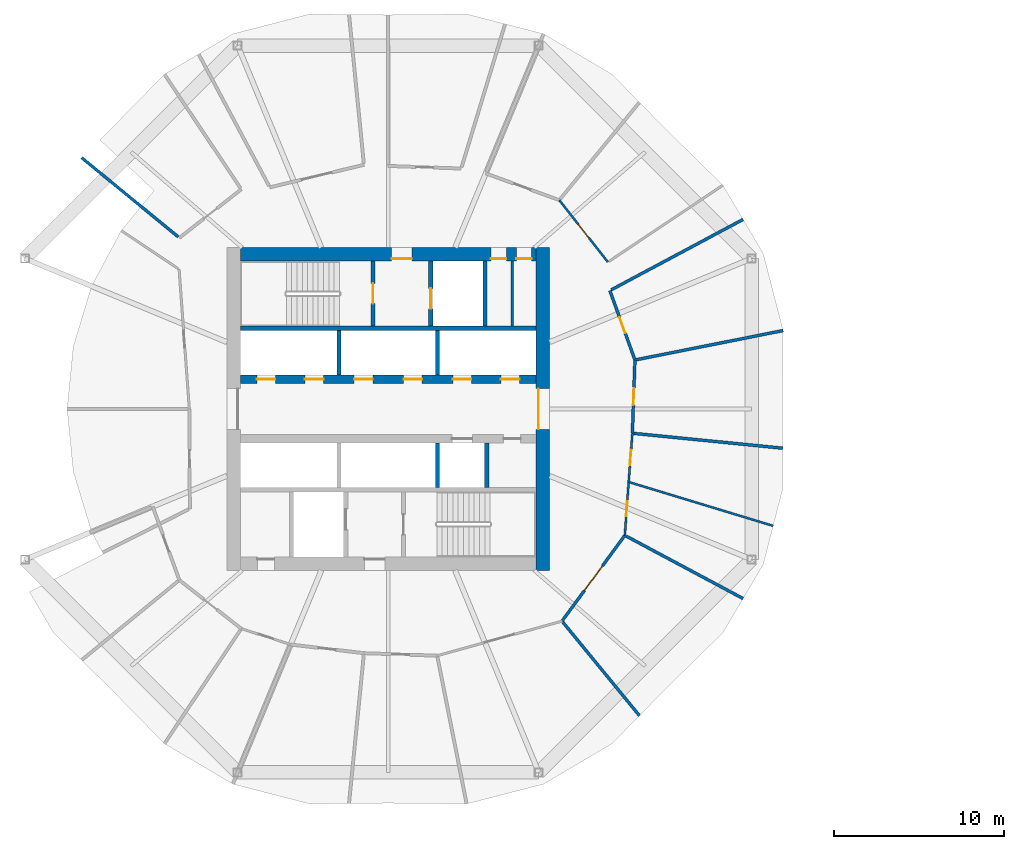
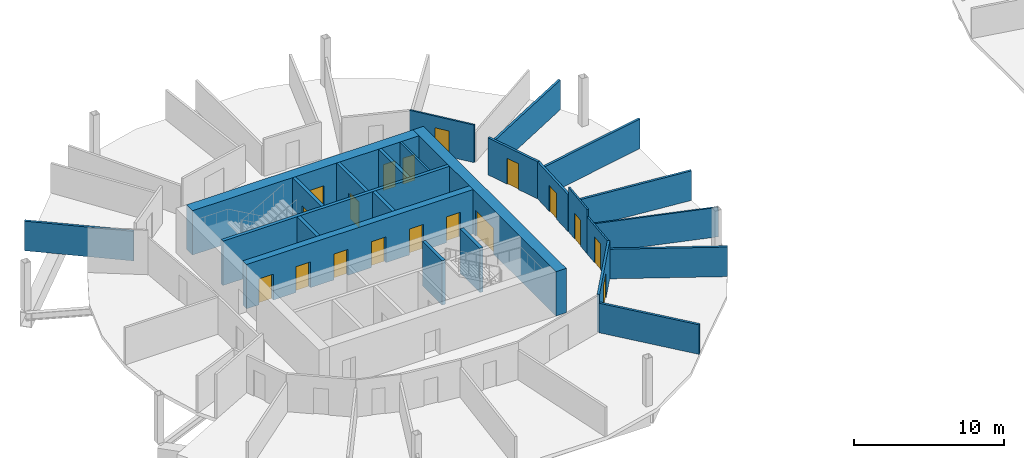
# One storey, part 5 of 10: 25 walls, 18 doors, 18 openings.
"""IFC4 building model written with IfcOpenShell, lengths in metres."""

import ifcopenshell
import ifcopenshell.guid

model = None  # the IFC model being written
_history = None  # IfcOwnerHistory: only IFC2X3 demands one
_inside = {}  # id of a spatial element -> (the spatial element, [elements in it])
_under = {}  # id of a project, library or spatial element -> (it, [spatial elements below it])
_declared = {}  # id of a project -> (the project, [libraries it declares])
_typed = {}  # id of a type object -> (the type object, [elements of that type])
_made_of = {}  # id of a material, layer set ... -> (it, [elements and type objects made of it])


def new_model(schema):
    """Start an empty IFC model of exactly this schema.

    Asked for "IFC4X3", IfcOpenShell would pick the latest addendum, in which some entities
    have other attributes; the version numbers below select the first issue.
    IFC2X3 requires an IfcOwnerHistory on every rooted entity: one is made here for all.
    """
    global model, _history
    if schema == "IFC4X3":
        model = ifcopenshell.file(schema_version=(4, 3, 0, 0))
    else:
        model = ifcopenshell.file(schema=schema)
    _inside.clear()
    _under.clear()
    _declared.clear()
    _typed.clear()
    _made_of.clear()
    _history = None
    if model.schema == "IFC2X3":
        org = make("IfcOrganization", Name="unknown")
        user = make(
            "IfcPersonAndOrganization",
            ThePerson=make("IfcPerson", FamilyName="unknown"),
            TheOrganization=org,
        )
        app = make(
            "IfcApplication",
            ApplicationDeveloper=org,
            Version="unknown",
            ApplicationFullName="unknown",
            ApplicationIdentifier="unknown",
        )
        _history = make(
            "IfcOwnerHistory",
            OwningUser=user,
            OwningApplication=app,
            ChangeAction="ADDED",
            CreationDate=0,
        )
    return model


def make(cls, **values):
    """One entity of the class cls with the attributes given. An attribute that is None is left unset."""
    return model.create_entity(
        cls, **{name: value for name, value in values.items() if value is not None}
    )


def rooted(cls, **values):
    """An entity with a GlobalId (a new one), such as an element, a storey or a relation."""
    return make(cls, GlobalId=ifcopenshell.guid.new(), OwnerHistory=_history, **values)


def si_unit(unit_type, name, prefix=None):
    """IfcSIUnit, for example si_unit("LENGTHUNIT", "METRE", prefix="MILLI")."""
    return make("IfcSIUnit", UnitType=unit_type, Prefix=prefix, Name=name)


def assignment(units):
    """IfcUnitAssignment: the units of a project."""
    return None if units is None else make("IfcUnitAssignment", Units=units)


def point(xyz):
    """IfcCartesianPoint."""
    return None if xyz is None else make("IfcCartesianPoint", Coordinates=xyz)


def direction(xyz):
    """IfcDirection."""
    return None if xyz is None else make("IfcDirection", DirectionRatios=xyz)


def frame(location, z_axis=None, x_axis=None):
    """IfcAxis2Placement3D, a coordinate frame: its origin and axes. An axis left out is left unset."""
    return make(
        "IfcAxis2Placement3D",
        Location=point(location),
        Axis=direction(z_axis),
        RefDirection=direction(x_axis),
    )


def frame_2d(location, x_axis=None):
    """IfcAxis2Placement2D, a coordinate frame in the plane: its origin and x axis."""
    return make(
        "IfcAxis2Placement2D", Location=point(location), RefDirection=direction(x_axis)
    )


def origin():
    """The frame at (0, 0, 0) with its axes left unset."""
    return frame((0.0, 0.0, 0.0))


def place(relative_to, where):
    """IfcLocalPlacement: puts the frame where relative to a parent placement (None: the world)."""
    return make(
        "IfcLocalPlacement", PlacementRelTo=relative_to, RelativePlacement=where
    )


def context(
    kind, dimensions, precision=None, world=None, true_north=None, identifier=None
):
    """IfcGeometricRepresentationContext, for example the 3D "Model" context."""
    return make(
        "IfcGeometricRepresentationContext",
        ContextIdentifier=identifier,
        ContextType=kind,
        CoordinateSpaceDimension=dimensions,
        Precision=precision,
        WorldCoordinateSystem=world,
        TrueNorth=true_north,
    )


def subcontext(parent, identifier, kind, view, scale=None):
    """IfcGeometricRepresentationSubContext, for example "Body" below "Model"."""
    return make(
        "IfcGeometricRepresentationSubContext",
        ContextIdentifier=identifier,
        ContextType=kind,
        ParentContext=parent,
        TargetScale=scale,
        TargetView=view,
    )


def project(units=None, contexts=None):
    """IfcProject with its units and contexts."""
    return rooted(
        "IfcProject",
        Name="project",
        RepresentationContexts=contexts,
        UnitsInContext=assignment(units),
    )


def spatial(cls, under=None, at=None, **own):
    """A site, building, storey or space (cls), placed at a placement, below another one or the project."""
    s = rooted(cls, ObjectPlacement=at, **own)
    if under is not None:
        _under.setdefault(under.id(), (under, []))[1].append(s)
    return s


def profile(cls, at=None, kind="AREA", **sizes):
    """A parametric profile (cls). Its sizes go by their IFC names, for example OverallWidth=200.0."""
    return make(cls, ProfileType=kind, Position=at, **sizes)


def rectangle(**sizes):
    """IfcRectangleProfileDef."""
    return profile("IfcRectangleProfileDef", **sizes)


def extrude(swept, where, along, depth):
    """IfcExtrudedAreaSolid: the profile swept, set in the frame where, extruded along a direction by depth."""
    return make(
        "IfcExtrudedAreaSolid",
        SweptArea=swept,
        Position=where,
        ExtrudedDirection=direction(along),
        Depth=depth,
    )


def shape(context_of_items, identifier, shape_type, items):
    """IfcShapeRepresentation: the items that make up one representation, for example the "Body"."""
    return make(
        "IfcShapeRepresentation",
        ContextOfItems=context_of_items,
        RepresentationIdentifier=identifier,
        RepresentationType=shape_type,
        Items=items,
    )


def material(Name=None, Category=None):
    """IfcMaterial."""
    return make("IfcMaterial", Name=Name, Category=Category)


def layer(
    of_material, thickness, ventilated=None, Name=None, Category=None, Priority=None
):
    """IfcMaterialLayer: one layer of a wall or slab, of a material (None: an air gap)."""
    return make(
        "IfcMaterialLayer",
        Material=of_material,
        LayerThickness=thickness,
        IsVentilated=ventilated,
        Name=Name,
        Category=Category,
        Priority=Priority,
    )


def layer_set(layers, Name=None):
    """IfcMaterialLayerSet."""
    return make("IfcMaterialLayerSet", MaterialLayers=layers, LayerSetName=Name)


def made_of(thing, what):
    """Note that an element or type object is made of a material, layer set ...; save() writes the relation."""
    if what is not None:
        _made_of.setdefault(what.id(), (what, []))[1].append(thing)
    return thing


def type_object(cls, material=None, **own):
    """A type object (cls), such as IfcWallType, which elements share."""
    return made_of(rooted(cls, **own), material)


def element(
    cls,
    number,
    at=None,
    inside=None,
    cuts=None,
    type_object=None,
    material=None,
    context=None,
    identifier="Body",
    shape_type=None,
    held_by="IfcProductDefinitionShape",
    body=None,
    shapes=None,
    **own,
):
    """One element of the class cls, such as IfcWall. Its Tag is "e" and its number.

    at: its placement. inside: the storey or other place that contains it. cuts: it is an
    opening in that element (IfcRelVoidsElement). A single representation is given by context,
    identifier, shape_type and body (its items); several are given by shapes. held_by: the class
    of the entity that holds the representations. save() writes the other relations.
    """
    e = rooted(cls, Tag="e%d" % number, ObjectPlacement=at, **own)
    if body is not None:
        shapes = [shape(context, identifier, shape_type, body)]
    if shapes is not None:
        e.Representation = make(held_by, Representations=shapes)
    if inside is not None:
        _inside.setdefault(inside.id(), (inside, []))[1].append(e)
    if cuts is not None:
        rooted(
            "IfcRelVoidsElement", RelatingBuildingElement=cuts, RelatedOpeningElement=e
        )
    if type_object is not None:
        _typed.setdefault(type_object.id(), (type_object, []))[1].append(e)
    return made_of(e, material)


def fill(opening, filler):
    """IfcRelFillsElement: the door or window that sits in an opening."""
    return rooted(
        "IfcRelFillsElement",
        RelatingOpeningElement=opening,
        RelatedBuildingElement=filler,
    )


def aggregate(whole, parts):
    """IfcRelAggregates: a whole, such as a stair, and the parts it consists of."""
    return rooted("IfcRelAggregates", RelatingObject=whole, RelatedObjects=parts)


def save(model, path):
    """Write the relations noted so far, then the file.

    IfcRelAggregates (storeys below a building ...), IfcRelContainedInSpatialStructure (elements
    in a storey), IfcRelDefinesByType, IfcRelAssociatesMaterial and IfcRelDeclares: one each for
    every whole, place, type object, material and project.
    """
    for whole, parts in _under.values():
        aggregate(whole, parts)
    for where, things in _inside.values():
        rooted(
            "IfcRelContainedInSpatialStructure",
            RelatedElements=things,
            RelatingStructure=where,
        )
    for kind, things in _typed.values():
        rooted("IfcRelDefinesByType", RelatedObjects=things, RelatingType=kind)
    for what, things in _made_of.values():
        rooted("IfcRelAssociatesMaterial", RelatedObjects=things, RelatingMaterial=what)
    for by, libraries in _declared.values():
        rooted("IfcRelDeclares", RelatingContext=by, RelatedDefinitions=libraries)
    model.write(path)


model = new_model("IFC4")

# Units and contexts
model_context = context("Model", 3, precision=1e-05, world=origin(), true_north=direction((0.0, 1.0)))
body_context = subcontext(model_context, "Body", "Model", "MODEL_VIEW")
ifc_project = project(units=[si_unit("LENGTHUNIT", "METRE"), si_unit("AREAUNIT", "SQUARE_METRE"), si_unit("VOLUMEUNIT", "CUBIC_METRE"), si_unit("PLANEANGLEUNIT", "RADIAN"), si_unit("MASSUNIT", "GRAM", prefix="KILO")], contexts=[model_context])

# Site, building, storey
site_placement = place(None, origin())
site = spatial("IfcSite", under=ifc_project, at=site_placement, CompositionType="ELEMENT")
building_placement = place(site_placement, origin())
building = spatial("IfcBuilding", under=site, at=building_placement, Name="Ogive Gate Towers", CompositionType="ELEMENT")
storey_placement = place(building_placement, frame((0.0, 0.0, 103.5)))
storey = spatial("IfcBuildingStorey", under=building, at=storey_placement, Name="L24", CompositionType="ELEMENT", Elevation=103.5)

# Walls
ifc_material_1 = material(Name="Gypsum board acoustic partition")
ifc_layer_1 = layer(ifc_material_1, 0.175048828125)
ifc_layer_set_1 = layer_set([ifc_layer_1], Name="Acoustic partition 175")
wall_type_1 = type_object("IfcWallType", Name="Acoustic partition 175", PredefinedType="PARTITIONING", material=ifc_layer_set_1)
wall_1_placement = place(storey_placement, frame((-12.74462890625, 4.6181640625, 0.0), z_axis=(0.0, 0.0, 1.0), x_axis=(-0.980846189341, -0.194783861895, 0.0)))
element("IfcWall", 1, at=wall_1_placement, inside=storey, type_object=wall_type_1, Name="Partition T1-L24-001", PredefinedType="PARTITIONING", context=body_context, shape_type="SweptSolid", body=[
    extrude(rectangle(XDim=8.811279296875, YDim=0.175048828125, at=frame_2d((4.40576171875, 0.0))), origin(), (0.0, 0.0, 1.0), 2.39990234375),
])
wall_2_placement = place(storey_placement, frame((-15.1005859375, 11.1640625, 0.0), z_axis=(0.0, 0.0, 1.0), x_axis=(-0.882049803771, -0.471156177576, 0.0)))
element("IfcWall", 2, at=wall_2_placement, inside=storey, type_object=wall_type_1, Name="Partition T1-L24-002", PredefinedType="PARTITIONING", context=body_context, shape_type="SweptSolid", body=[
    extrude(rectangle(XDim=8.8115234375, YDim=0.175048828125, at=frame_2d((4.40576171875, 0.0))), origin(), (0.0, 0.0, 1.0), 2.39990234375),
])
wall_3_placement = place(storey_placement, frame((-54.055419921875, 14.79931640625, 0.0), z_axis=(0.0, 0.0, 1.0), x_axis=(0.773401433888, -0.633916573422, 0.0)))
element("IfcWall", 3, at=wall_3_placement, inside=storey, type_object=wall_type_1, Name="Partition T1-L24-011", PredefinedType="PARTITIONING", context=body_context, shape_type="SweptSolid", body=[
    extrude(rectangle(XDim=7.36181640625, YDim=0.175048828125, at=frame_2d((3.680908203125, 0.0))), origin(), (0.0, 0.0, 1.0), 2.39990234375),
])
wall_4_placement = place(storey_placement, frame((-21.205322265625, -18.06005859375, 0.0), z_axis=(0.0, 0.0, 1.0), x_axis=(-0.633691954899, 0.773585487388, 0.0)))
element("IfcWall", 4, at=wall_4_placement, inside=storey, type_object=wall_type_1, Name="Partition T1-L24-021", PredefinedType="PARTITIONING", context=body_context, shape_type="SweptSolid", body=[
    extrude(rectangle(XDim=7.111572265625, YDim=0.175048828125, at=frame_2d((3.5556640625, 0.0))), origin(), (0.0, 0.0, 1.0), 2.39990234375),
])
wall_5_placement = place(storey_placement, frame((-15.1005859375, -11.1640625, 0.0), z_axis=(0.0, 0.0, 1.0), x_axis=(-0.882037828895, 0.471178595012, 0.0)))
element("IfcWall", 5, at=wall_5_placement, inside=storey, type_object=wall_type_1, Name="Partition T1-L24-022", PredefinedType="PARTITIONING", context=body_context, shape_type="SweptSolid", body=[
    extrude(rectangle(XDim=7.8115234375, YDim=0.175048828125, at=frame_2d((3.90576171875, 0.0))), origin(), (0.0, 0.0, 1.0), 2.39990234375),
])
wall_6_placement = place(storey_placement, frame((-12.768310546875, -2.308837890625, 0.0), z_axis=(0.0, 0.0, 1.0), x_axis=(-0.995098722397, 0.098886463601, 0.0)))
element("IfcWall", 6, at=wall_6_placement, inside=storey, type_object=wall_type_1, Name="Partition T1-L24-024", PredefinedType="PARTITIONING", context=body_context, shape_type="SweptSolid", body=[
    extrude(rectangle(XDim=8.8115234375, YDim=0.175048828125, at=frame_2d((4.40576171875, 0.0))), origin(), (0.0, 0.0, 1.0), 2.39990234375),
])

# Wall, opening, door
wall_7_placement = place(storey_placement, frame((-22.949951171875, 6.97119140625, 0.0), z_axis=(0.0, 0.0, 1.0), x_axis=(0.339879175727, -0.940469109491, 0.0)))
wall_7 = element("IfcWall", 7, at=wall_7_placement, inside=storey, type_object=wall_type_1, Name="Partition T1-L24-027", PredefinedType="PARTITIONING", context=body_context, shape_type="SweptSolid", body=[
    extrude(rectangle(XDim=4.34521484375, YDim=0.175048828125, at=frame_2d((2.172607421875, 0.0))), origin(), (0.0, 0.0, 1.0), 3.010009765625),
])
opening_1_placement = place(wall_7_placement, frame((1.673095703125, 0.0, 0.0)))
opening_1 = element("IfcOpeningElement", 8, at=opening_1_placement, cuts=wall_7, Name="Opening T1-L24-D03", PredefinedType="OPENING", context=body_context, shape_type="SweptSolid", body=[
    extrude(rectangle(XDim=1.0, YDim=2.10009765625, at=frame_2d((0.5, 1.050048828125))), frame((0.0, 0.09765625, 0.0), z_axis=(0.0, -1.0, 0.0), x_axis=(1.0, 0.0, 0.0)), (0.0, 0.0, 1.0), 0.195068359375),
])
ifc_material_2 = material(Name="Timber door", Category="wood")
door_type_1 = type_object("IfcDoorType", Name="Door 1000", OperationType="NOTDEFINED", PredefinedType="DOOR", material=ifc_material_2)
door_1_placement = place(opening_1_placement, origin())
door_1 = element("IfcDoor", 9, at=door_1_placement, inside=storey, type_object=door_type_1, Name="Door T1-L24-D03", OperationType="SINGLE_SWING_LEFT", OverallHeight=2.10009765625, OverallWidth=1.0, PredefinedType="DOOR", context=body_context, shape_type="SweptSolid", body=[
    extrude(rectangle(XDim=1.0, YDim=2.10009765625, at=frame_2d((0.5, 1.050048828125))), frame((0.0, 0.02490234375, 0.0), z_axis=(0.0, -1.0, 0.0), x_axis=(1.0, 0.0, 0.0)), (0.0, 0.0, 1.0), 0.050048828125),
])
fill(opening_1, door_1)

wall_8_placement = place(storey_placement, frame((-21.47314453125, 2.884765625, 0.0), z_axis=(0.0, 0.0, 1.0), x_axis=(-0.034844121558, -0.999392759226, 0.0)))
wall_8 = element("IfcWall", 10, at=wall_8_placement, inside=storey, type_object=wall_type_1, Name="Partition T1-L24-028", PredefinedType="PARTITIONING", context=body_context, shape_type="SweptSolid", body=[
    extrude(rectangle(XDim=4.316162109375, YDim=0.175048828125, at=frame_2d((2.158203125, 0.0))), origin(), (0.0, 0.0, 1.0), 3.0),
])
opening_2_placement = place(wall_8_placement, frame((1.657958984375, 0.0, 0.0)))
opening_2 = element("IfcOpeningElement", 11, at=opening_2_placement, cuts=wall_8, Name="Opening T1-L24-D04", PredefinedType="OPENING", context=body_context, shape_type="SweptSolid", body=[
    extrude(rectangle(XDim=1.0, YDim=2.10009765625, at=frame_2d((0.5, 1.050048828125))), frame((0.0, 0.09765625, 0.0), z_axis=(0.0, -1.0, 0.0), x_axis=(1.0, 0.0, 0.0)), (0.0, 0.0, 1.0), 0.195068359375),
])
door_2_placement = place(opening_2_placement, origin())
door_2 = element("IfcDoor", 12, at=door_2_placement, inside=storey, type_object=door_type_1, Name="Door T1-L24-D04", OperationType="SINGLE_SWING_LEFT", OverallHeight=2.10009765625, OverallWidth=1.0, PredefinedType="DOOR", context=body_context, shape_type="SweptSolid", body=[
    extrude(rectangle(XDim=1.0, YDim=2.10009765625, at=frame_2d((0.5, 1.050048828125))), frame((0.0, 0.02490234375, 0.0), z_axis=(0.0, -1.0, 0.0), x_axis=(1.0, 0.0, 0.0)), (0.0, 0.0, 1.0), 0.050048828125),
])
fill(opening_2, door_2)

wall_9_placement = place(storey_placement, frame((-22.06787109375, -7.4423828125, 0.0), z_axis=(0.0, 0.0, 1.0), x_axis=(-0.591069382542, -0.806620719435, 0.0)))
wall_9 = element("IfcWall", 13, at=wall_9_placement, inside=storey, type_object=wall_type_1, Name="Partition T1-L24-031", PredefinedType="PARTITIONING", context=body_context, shape_type="SweptSolid", body=[
    extrude(rectangle(XDim=6.259033203125, YDim=0.175048828125, at=frame_2d((3.12939453125, 0.0))), origin(), (0.0, 0.0, 1.0), 3.050048828125),
])
opening_3_placement = place(wall_9_placement, frame((2.22998046875, 0.0, 0.0)))
opening_3 = element("IfcOpeningElement", 14, at=opening_3_placement, cuts=wall_9, Name="Opening T1-L24-D07", PredefinedType="OPENING", context=body_context, shape_type="SweptSolid", body=[
    extrude(rectangle(XDim=1.800048828125, YDim=2.10009765625, at=frame_2d((0.89990234375, 1.050048828125))), frame((0.0, 0.09765625, 0.0), z_axis=(0.0, -1.0, 0.0), x_axis=(1.0, 0.0, 0.0)), (0.0, 0.0, 1.0), 0.195068359375),
])
door_type_2 = type_object("IfcDoorType", Name="Door pair 1800", OperationType="NOTDEFINED", PredefinedType="DOOR", material=ifc_material_2)
door_3_placement = place(opening_3_placement, origin())
door_3 = element("IfcDoor", 15, at=door_3_placement, inside=storey, type_object=door_type_2, Name="Door T1-L24-D07", OperationType="DOUBLE_DOOR_DOUBLE_SWING", OverallHeight=2.10009765625, OverallWidth=1.800048828125, PredefinedType="DOOR", context=body_context, shape_type="SweptSolid", body=[
    extrude(rectangle(XDim=1.800048828125, YDim=2.10009765625, at=frame_2d((0.89990234375, 1.050048828125))), frame((0.0, 0.02490234375, 0.0), z_axis=(0.0, -1.0, 0.0), x_axis=(1.0, 0.0, 0.0)), (0.0, 0.0, 1.0), 0.050048828125),
])
fill(opening_3, door_3)

# Wall, openings, doors
ifc_material_3 = material(Name="Concrete C60/75", Category="concrete")
ifc_layer_2 = layer(ifc_material_3, 0.800048828125)
ifc_layer_set_2 = layer_set([ifc_layer_2], Name="Core wall 800 mm")
wall_type_2 = type_object("IfcWallType", Name="Core wall 800 mm", PredefinedType="SHEAR", material=ifc_layer_set_2)
wall_10_placement = place(storey_placement, frame((-44.699951171875, 9.10009765625, 0.0), z_axis=(0.0, 0.0, 1.0), x_axis=(1.0, 0.0, 0.0)))
wall_10 = element("IfcWall", 16, at=wall_10_placement, inside=storey, type_object=wall_type_2, Name="T1 L24 Core wall 800 mm", PredefinedType="SHEAR", context=body_context, shape_type="SweptSolid", body=[
    extrude(rectangle(XDim=17.39990234375, YDim=0.800048828125, at=frame_2d((8.699951171875, 0.0))), origin(), (0.0, 0.0, 1.0), 3.60009765625),
])
opening_4_placement = place(wall_10_placement, frame((8.89990234375, 0.0, 0.0)))
opening_4 = element("IfcOpeningElement", 17, at=opening_4_placement, cuts=wall_10, Name="Opening KD-T1-L24-15", PredefinedType="OPENING", context=body_context, shape_type="SweptSolid", body=[
    extrude(rectangle(XDim=1.199951171875, YDim=2.10009765625, at=frame_2d((0.60009765625, 1.050048828125))), frame((0.0, 0.41015625, 0.0), z_axis=(0.0, -1.0, 0.0), x_axis=(1.0, 0.0, 0.0)), (0.0, 0.0, 1.0), 0.820068359375),
])
opening_5_placement = place(wall_10_placement, frame((14.75, 0.0, 0.0)))
opening_5 = element("IfcOpeningElement", 18, at=opening_5_placement, cuts=wall_10, Name="Opening KD-T1-L24-17", PredefinedType="OPENING", context=body_context, shape_type="SweptSolid", body=[
    extrude(rectangle(XDim=0.89990234375, YDim=2.10009765625, at=frame_2d((0.449951171875, 1.050048828125))), frame((0.0, 0.41015625, 0.0), z_axis=(0.0, -1.0, 0.0), x_axis=(1.0, 0.0, 0.0)), (0.0, 0.0, 1.0), 0.820068359375),
])
opening_6_placement = place(wall_10_placement, frame((16.25, 0.0, 0.0)))
opening_6 = element("IfcOpeningElement", 19, at=opening_6_placement, cuts=wall_10, Name="Opening KD-T1-L24-18", PredefinedType="OPENING", context=body_context, shape_type="SweptSolid", body=[
    extrude(rectangle(XDim=0.89990234375, YDim=2.10009765625, at=frame_2d((0.449951171875, 1.050048828125))), frame((0.0, 0.41015625, 0.0), z_axis=(0.0, -1.0, 0.0), x_axis=(1.0, 0.0, 0.0)), (0.0, 0.0, 1.0), 0.820068359375),
])
door_type_3 = type_object("IfcDoorType", Name="Core WC door 900 x 2100", OperationType="NOTDEFINED", PredefinedType="DOOR", material=ifc_material_2)
door_4_placement = place(opening_5_placement, origin())
door_4 = element("IfcDoor", 20, at=door_4_placement, inside=storey, type_object=door_type_3, Name="T1 L24 Core door", OperationType="SINGLE_SWING_RIGHT", OverallHeight=2.10009765625, OverallWidth=0.89990234375, PredefinedType="DOOR", context=body_context, shape_type="SweptSolid", body=[
    extrude(rectangle(XDim=0.89990234375, YDim=2.10009765625, at=frame_2d((0.449951171875, 1.050048828125))), frame((0.0, -0.22509765625, 0.0), z_axis=(0.0, -1.0, 0.0), x_axis=(1.0, 0.0, 0.0)), (0.0, 0.0, 1.0), 0.050048828125),
])
fill(opening_5, door_4)
door_5_placement = place(opening_6_placement, origin())
door_5 = element("IfcDoor", 21, at=door_5_placement, inside=storey, type_object=door_type_3, Name="T1 L24 Core door", OperationType="SINGLE_SWING_LEFT", OverallHeight=2.10009765625, OverallWidth=0.89990234375, PredefinedType="DOOR", context=body_context, shape_type="SweptSolid", body=[
    extrude(rectangle(XDim=0.89990234375, YDim=2.10009765625, at=frame_2d((0.449951171875, 1.050048828125))), frame((0.0, -0.22509765625, 0.0), z_axis=(0.0, -1.0, 0.0), x_axis=(1.0, 0.0, 0.0)), (0.0, 0.0, 1.0), 0.050048828125),
])
fill(opening_6, door_5)
ifc_material_4 = material(Name="Steel fire door", Category="steel")
door_type_4 = type_object("IfcDoorType", Name="Core door FD60S 1200 x 2100", OperationType="NOTDEFINED", PredefinedType="DOOR", material=ifc_material_4)
door_6_placement = place(opening_4_placement, origin())
door_6 = element("IfcDoor", 22, at=door_6_placement, inside=storey, type_object=door_type_4, Name="T1 L24 Fire-fighting lobby door", OperationType="SINGLE_SWING_RIGHT", OverallHeight=2.10009765625, OverallWidth=1.199951171875, PredefinedType="DOOR", context=body_context, shape_type="SweptSolid", body=[
    extrude(rectangle(XDim=1.199951171875, YDim=2.10009765625, at=frame_2d((0.60009765625, 1.050048828125))), frame((0.0, -0.22509765625, 0.0), z_axis=(0.0, -1.0, 0.0), x_axis=(1.0, 0.0, 0.0)), (0.0, 0.0, 1.0), 0.050048828125),
])
fill(opening_4, door_6)

# Wall, opening, door
wall_11_placement = place(storey_placement, frame((-26.89990234375, -9.5, 0.0), z_axis=(0.0, 0.0, 1.0), x_axis=(0.0, 1.0, 0.0)))
wall_11 = element("IfcWall", 23, at=wall_11_placement, inside=storey, type_object=wall_type_2, Name="T1 L24 Core wall 800 mm", PredefinedType="SHEAR", context=body_context, shape_type="SweptSolid", body=[
    extrude(rectangle(XDim=19.0, YDim=0.800048828125, at=frame_2d((9.5, 0.0))), origin(), (0.0, 0.0, 1.0), 3.60009765625),
])
opening_7_placement = place(wall_11_placement, frame((8.300048828125, 0.0, 0.0)))
opening_7 = element("IfcOpeningElement", 24, at=opening_7_placement, cuts=wall_11, Name="Opening KD-T1-L24-02", PredefinedType="OPENING", context=body_context, shape_type="SweptSolid", body=[
    extrude(rectangle(XDim=2.39990234375, YDim=2.10009765625, at=frame_2d((1.199951171875, 1.050048828125))), frame((0.0, 0.41015625, 0.0), z_axis=(0.0, -1.0, 0.0), x_axis=(1.0, 0.0, 0.0)), (0.0, 0.0, 1.0), 0.820068359375),
])
door_type_5 = type_object("IfcDoorType", Name="Core double door FD60S 2400 x 2100", OperationType="DOUBLE_DOOR_SINGLE_SWING", PredefinedType="DOOR", material=ifc_material_4)
door_7_placement = place(opening_7_placement, origin())
door_7 = element("IfcDoor", 25, at=door_7_placement, inside=storey, type_object=door_type_5, Name="T1 L24 Core door double", OperationType="DOUBLE_DOOR_SINGLE_SWING", OverallHeight=2.10009765625, OverallWidth=2.39990234375, PredefinedType="DOOR", context=body_context, shape_type="SweptSolid", body=[
    extrude(rectangle(XDim=2.39990234375, YDim=2.10009765625, at=frame_2d((1.199951171875, 1.050048828125))), frame((0.0, 0.27490234375, 0.0), z_axis=(0.0, -1.0, 0.0), x_axis=(1.0, 0.0, 0.0)), (0.0, 0.0, 1.0), 0.050048828125),
])
fill(opening_7, door_7)

# Wall
ifc_material_5 = material(Name="Gypsum board partition")
ifc_layer_3 = layer(ifc_material_5, 0.125)
ifc_layer_set_3 = layer_set([ifc_layer_3], Name="Partition 125")
wall_type_3 = type_object("IfcWallType", Name="Partition 125", PredefinedType="PARTITIONING", material=ifc_layer_set_3)
wall_12_placement = place(storey_placement, frame((-13.32763671875, -6.8837890625, 0.0), z_axis=(0.0, 0.0, 1.0), x_axis=(-0.956872074034, 0.290509610743, 0.0)))
element("IfcWall", 26, at=wall_12_placement, inside=storey, type_object=wall_type_3, Name="Partition T1-L24-023", PredefinedType="PARTITIONING", context=body_context, shape_type="SweptSolid", body=[
    extrude(rectangle(XDim=8.836669921875, YDim=0.125, at=frame_2d((4.41845703125, 0.0))), origin(), (0.0, 0.0, 1.0), 2.39990234375),
])

# Wall, opening, door
wall_13_placement = place(storey_placement, frame((-25.92578125, 12.297607421875, 0.0), z_axis=(0.0, 0.0, 1.0), x_axis=(0.61708176189, -0.786899039994, 0.0)))
wall_13 = element("IfcWall", 27, at=wall_13_placement, inside=storey, type_object=wall_type_3, Name="Partition T1-L24-026", PredefinedType="PARTITIONING", context=body_context, shape_type="SweptSolid", body=[
    extrude(rectangle(XDim=4.636474609375, YDim=0.125, at=frame_2d((2.318359375, 0.0))), origin(), (0.0, 0.0, 1.0), 3.050048828125),
])
opening_8_placement = place(wall_13_placement, frame((1.818115234375, 0.0, 0.0)))
opening_8 = element("IfcOpeningElement", 28, at=opening_8_placement, cuts=wall_13, Name="Opening T1-L24-D02", PredefinedType="OPENING", context=body_context, shape_type="SweptSolid", body=[
    extrude(rectangle(XDim=1.0, YDim=2.10009765625, at=frame_2d((0.5, 1.050048828125))), frame((0.0, 0.072509765625, 0.0), z_axis=(0.0, -1.0, 0.0), x_axis=(1.0, 0.0, 0.0)), (0.0, 0.0, 1.0), 0.14501953125),
])
door_8_placement = place(opening_8_placement, origin())
door_8 = element("IfcDoor", 29, at=door_8_placement, inside=storey, type_object=door_type_1, Name="Door T1-L24-D02", OperationType="SINGLE_SWING_LEFT", OverallHeight=2.10009765625, OverallWidth=1.0, PredefinedType="DOOR", context=body_context, shape_type="SweptSolid", body=[
    extrude(rectangle(XDim=1.0, YDim=2.10009765625, at=frame_2d((0.5, 1.050048828125))), frame((0.0, 0.02490234375, 0.0), z_axis=(0.0, -1.0, 0.0), x_axis=(1.0, 0.0, 0.0)), (0.0, 0.0, 1.0), 0.050048828125),
])
fill(opening_8, door_8)

wall_14_placement = place(storey_placement, frame((-21.62353515625, -1.4287109375, 0.0), z_axis=(0.0, 0.0, 1.0), x_axis=(-0.07626186434, -0.997087823638, 0.0)))
wall_14 = element("IfcWall", 30, at=wall_14_placement, inside=storey, type_object=wall_type_3, Name="Partition T1-L24-029", PredefinedType="PARTITIONING", context=body_context, shape_type="SweptSolid", body=[
    extrude(rectangle(XDim=2.8779296875, YDim=0.125, at=frame_2d((1.43896484375, 0.0))), origin(), (0.0, 0.0, 1.0), 3.60009765625),
])
opening_9_placement = place(wall_14_placement, frame((0.989013671875, 0.0, 0.0)))
opening_9 = element("IfcOpeningElement", 31, at=opening_9_placement, cuts=wall_14, Name="Opening T1-L24-D05", PredefinedType="OPENING", context=body_context, shape_type="SweptSolid", body=[
    extrude(rectangle(XDim=0.89990234375, YDim=2.10009765625, at=frame_2d((0.449951171875, 1.050048828125))), frame((0.0, 0.072509765625, 0.0), z_axis=(0.0, -1.0, 0.0), x_axis=(1.0, 0.0, 0.0)), (0.0, 0.0, 1.0), 0.14501953125),
])
door_type_6 = type_object("IfcDoorType", Name="Door 900", OperationType="NOTDEFINED", PredefinedType="DOOR", material=ifc_material_2)
door_9_placement = place(opening_9_placement, origin())
door_9 = element("IfcDoor", 32, at=door_9_placement, inside=storey, type_object=door_type_6, Name="Door T1-L24-D05", OperationType="SINGLE_SWING_LEFT", OverallHeight=2.10009765625, OverallWidth=0.89990234375, PredefinedType="DOOR", context=body_context, shape_type="SweptSolid", body=[
    extrude(rectangle(XDim=0.89990234375, YDim=2.10009765625, at=frame_2d((0.449951171875, 1.050048828125))), frame((0.0, 0.02490234375, 0.0), z_axis=(0.0, -1.0, 0.0), x_axis=(1.0, 0.0, 0.0)), (0.0, 0.0, 1.0), 0.050048828125),
])
fill(opening_9, door_9)

wall_15_placement = place(storey_placement, frame((-21.843017578125, -4.29833984375, 0.0), z_axis=(0.0, 0.0, 1.0), x_axis=(-0.071335119215, -0.997452405264, 0.0)))
wall_15 = element("IfcWall", 33, at=wall_15_placement, inside=storey, type_object=wall_type_3, Name="Partition T1-L24-030", PredefinedType="PARTITIONING", context=body_context, shape_type="SweptSolid", body=[
    extrude(rectangle(XDim=3.152099609375, YDim=0.125, at=frame_2d((1.576171875, 0.0))), origin(), (0.0, 0.0, 1.0), 3.010009765625),
])
opening_10_placement = place(wall_15_placement, frame((1.1259765625, 0.0, 0.0)))
opening_10 = element("IfcOpeningElement", 34, at=opening_10_placement, cuts=wall_15, Name="Opening T1-L24-D06", PredefinedType="OPENING", context=body_context, shape_type="SweptSolid", body=[
    extrude(rectangle(XDim=0.89990234375, YDim=2.10009765625, at=frame_2d((0.449951171875, 1.050048828125))), frame((0.0, 0.072509765625, 0.0), z_axis=(0.0, -1.0, 0.0), x_axis=(1.0, 0.0, 0.0)), (0.0, 0.0, 1.0), 0.14501953125),
])
door_10_placement = place(opening_10_placement, origin())
door_10 = element("IfcDoor", 35, at=door_10_placement, inside=storey, type_object=door_type_6, Name="Door T1-L24-D06", OperationType="SINGLE_SWING_RIGHT", OverallHeight=2.10009765625, OverallWidth=0.89990234375, PredefinedType="DOOR", context=body_context, shape_type="SweptSolid", body=[
    extrude(rectangle(XDim=0.89990234375, YDim=2.10009765625, at=frame_2d((0.449951171875, 1.050048828125))), frame((0.0, 0.02490234375, 0.0), z_axis=(0.0, -1.0, 0.0), x_axis=(1.0, 0.0, 0.0)), (0.0, 0.0, 1.0), 0.050048828125),
])
fill(opening_10, door_10)

# Walls
ifc_layer_4 = layer(ifc_material_5, 0.14990234375)
ifc_layer_set_4 = layer_set([ifc_layer_4], Name="Room partition 150 mm")
wall_type_4 = type_object("IfcWallType", Name="Room partition 150 mm", PredefinedType="PARTITIONING", material=ifc_layer_set_4)
wall_16_placement = place(storey_placement, frame((-28.699951171875, 4.875, 0.0), z_axis=(0.0, 0.0, 1.0), x_axis=(0.0, 1.0, 0.0)))
element("IfcWall", 36, at=wall_16_placement, inside=storey, type_object=wall_type_4, Name="T1 L24 Room partition 150 mm", PredefinedType="PARTITIONING", context=body_context, shape_type="SweptSolid", body=[
    extrude(rectangle(XDim=3.824951171875, YDim=0.14990234375, at=frame_2d((1.91259765625, 0.0))), origin(), (0.0, 0.0, 1.0), 3.60009765625),
])
ifc_layer_5 = layer(ifc_material_3, 0.25)
ifc_layer_set_5 = layer_set([ifc_layer_5], Name="Shaft wall 250 mm")
wall_type_5 = type_object("IfcWallType", Name="Shaft wall 250 mm", PredefinedType="SHEAR", material=ifc_layer_set_5)
wall_17_placement = place(storey_placement, frame((-44.699951171875, 4.75, 0.0), z_axis=(0.0, 0.0, 1.0), x_axis=(1.0, 0.0, 0.0)))
element("IfcWall", 37, at=wall_17_placement, inside=storey, type_object=wall_type_5, Name="T1 L24 Shaft wall 250 mm", PredefinedType="SHEAR", context=body_context, shape_type="SweptSolid", body=[
    extrude(rectangle(XDim=17.39990234375, YDim=0.25, at=frame_2d((8.699951171875, 0.0))), origin(), (0.0, 0.0, 1.0), 3.60009765625),
])
wall_18_placement = place(storey_placement, frame((-38.89990234375, 2.0, 0.0), z_axis=(0.0, 0.0, 1.0), x_axis=(0.0, 1.0, 0.0)))
element("IfcWall", 38, at=wall_18_placement, inside=storey, type_object=wall_type_5, Name="T1 L24 Shaft wall 250 mm", PredefinedType="SHEAR", context=body_context, shape_type="SweptSolid", body=[
    extrude(rectangle(XDim=2.625, YDim=0.25, at=frame_2d((1.3125, 0.0))), origin(), (0.0, 0.0, 1.0), 3.60009765625),
])

# Wall, opening, door
wall_19_placement = place(storey_placement, frame((-36.89990234375, 4.875, 0.0), z_axis=(0.0, 0.0, 1.0), x_axis=(0.0, 1.0, 0.0)))
wall_19 = element("IfcWall", 39, at=wall_19_placement, inside=storey, type_object=wall_type_5, Name="T1 L24 Shaft wall 250 mm", PredefinedType="SHEAR", context=body_context, shape_type="SweptSolid", body=[
    extrude(rectangle(XDim=3.824951171875, YDim=0.25, at=frame_2d((1.91259765625, 0.0))), origin(), (0.0, 0.0, 1.0), 3.60009765625),
])
opening_11_placement = place(wall_19_placement, frame((1.324951171875, 0.0, 0.0)))
opening_11 = element("IfcOpeningElement", 40, at=opening_11_placement, cuts=wall_19, Name="Opening KD-T1-L24-13", PredefinedType="OPENING", context=body_context, shape_type="SweptSolid", body=[
    extrude(rectangle(XDim=1.199951171875, YDim=2.10009765625, at=frame_2d((0.60009765625, 1.050048828125))), frame((0.0, 0.135009765625, 0.0), z_axis=(0.0, -1.0, 0.0), x_axis=(1.0, 0.0, 0.0)), (0.0, 0.0, 1.0), 0.27001953125),
])
door_11_placement = place(opening_11_placement, origin())
door_11 = element("IfcDoor", 41, at=door_11_placement, inside=storey, type_object=door_type_4, Name="T1 L24 Stair door", OperationType="SINGLE_SWING_RIGHT", OverallHeight=2.10009765625, OverallWidth=1.199951171875, PredefinedType="DOOR", context=body_context, shape_type="SweptSolid", body=[
    extrude(rectangle(XDim=1.199951171875, YDim=2.10009765625, at=frame_2d((0.60009765625, 1.050048828125))), frame((0.0, 0.02490234375, 0.0), z_axis=(0.0, -1.0, 0.0), x_axis=(1.0, 0.0, 0.0)), (0.0, 0.0, 1.0), 0.050048828125),
])
fill(opening_11, door_11)

wall_20_placement = place(storey_placement, frame((-33.5, 4.875, 0.0), z_axis=(0.0, 0.0, 1.0), x_axis=(0.0, 1.0, 0.0)))
wall_20 = element("IfcWall", 42, at=wall_20_placement, inside=storey, type_object=wall_type_5, Name="T1 L24 Shaft wall 250 mm", PredefinedType="SHEAR", context=body_context, shape_type="SweptSolid", body=[
    extrude(rectangle(XDim=3.824951171875, YDim=0.25, at=frame_2d((1.91259765625, 0.0))), origin(), (0.0, 0.0, 1.0), 3.60009765625),
])
opening_12_placement = place(wall_20_placement, frame((1.02490234375, 0.0, 0.0)))
opening_12 = element("IfcOpeningElement", 43, at=opening_12_placement, cuts=wall_20, Name="Opening LD-T1-L24-10", PredefinedType="OPENING", context=body_context, shape_type="SweptSolid", body=[
    extrude(rectangle(XDim=1.199951171875, YDim=2.10009765625, at=frame_2d((0.60009765625, 1.050048828125))), frame((0.0, 0.135009765625, 0.0), z_axis=(0.0, -1.0, 0.0), x_axis=(1.0, 0.0, 0.0)), (0.0, 0.0, 1.0), 0.27001953125),
])
ifc_material_6 = material(Name="Stainless steel landing door", Category="steel")
door_type_7 = type_object("IfcDoorType", Name="Landing door 1200 x 2100", OperationType="SLIDING_TO_LEFT", PredefinedType="DOOR", material=ifc_material_6)
door_12_placement = place(opening_12_placement, origin())
door_12 = element("IfcDoor", 44, at=door_12_placement, inside=storey, type_object=door_type_7, Name="T1 L24 Lift landing door FF1", OperationType="SLIDING_TO_LEFT", OverallHeight=2.10009765625, OverallWidth=1.199951171875, PredefinedType="DOOR", context=body_context, shape_type="SweptSolid", body=[
    extrude(rectangle(XDim=1.199951171875, YDim=2.10009765625, at=frame_2d((0.60009765625, 1.050048828125))), frame((0.0, 0.02490234375, 0.0), z_axis=(0.0, -1.0, 0.0), x_axis=(1.0, 0.0, 0.0)), (0.0, 0.0, 1.0), 0.050048828125),
])
fill(opening_12, door_12)

# Walls
for number, where, z_axis, x_axis, name in (
    (45, (-33.10009765625, -4.625, 0.0), (0.0, 0.0, 1.0), (0.0, 1.0, 0.0), "T1 L24 Shaft wall 250 mm"),
    (46, (-33.10009765625, 2.0, 0.0), (0.0, 0.0, 1.0), (0.0, 1.0, 0.0), "T1 L24 Shaft wall 250 mm"),
):
    element("IfcWall", number, at=place(storey_placement, frame(where, z_axis=z_axis, x_axis=x_axis)), inside=storey, type_object=wall_type_5, Name=name, PredefinedType="SHEAR", context=body_context, shape_type="SweptSolid", body=[
        extrude(rectangle(XDim=2.625, YDim=0.25, at=frame_2d((1.3125, 0.0))), origin(), (0.0, 0.0, 1.0), 3.60009765625),
    ])
wall_21_placement = place(storey_placement, frame((-30.300048828125, 4.875, 0.0), z_axis=(0.0, 0.0, 1.0), x_axis=(0.0, 1.0, 0.0)))
element("IfcWall", 47, at=wall_21_placement, inside=storey, type_object=wall_type_5, Name="T1 L24 Shaft wall 250 mm", PredefinedType="SHEAR", context=body_context, shape_type="SweptSolid", body=[
    extrude(rectangle(XDim=3.824951171875, YDim=0.25, at=frame_2d((1.91259765625, 0.0))), origin(), (0.0, 0.0, 1.0), 3.60009765625),
])
wall_22_placement = place(storey_placement, frame((-30.199951171875, -4.625, 0.0), z_axis=(0.0, 0.0, 1.0), x_axis=(0.0, 1.0, 0.0)))
element("IfcWall", 48, at=wall_22_placement, inside=storey, type_object=wall_type_5, Name="T1 L24 Shaft wall 250 mm", PredefinedType="SHEAR", context=body_context, shape_type="SweptSolid", body=[
    extrude(rectangle(XDim=2.625, YDim=0.25, at=frame_2d((1.3125, 0.0))), origin(), (0.0, 0.0, 1.0), 3.60009765625),
])

# Wall, openings, doors
ifc_layer_6 = layer(ifc_material_3, 0.5)
ifc_layer_set_6 = layer_set([ifc_layer_6], Name="Spine wall 500 mm")
wall_type_6 = type_object("IfcWallType", Name="Spine wall 500 mm", PredefinedType="SHEAR", material=ifc_layer_set_6)
wall_23_placement = place(storey_placement, frame((-44.699951171875, 1.75, 0.0), z_axis=(0.0, 0.0, 1.0), x_axis=(1.0, 0.0, 0.0)))
wall_23 = element("IfcWall", 49, at=wall_23_placement, inside=storey, type_object=wall_type_6, Name="T1 L24 Spine wall 500 mm", PredefinedType="SHEAR", context=body_context, shape_type="SweptSolid", body=[
    extrude(rectangle(XDim=17.39990234375, YDim=0.5, at=frame_2d((8.699951171875, 0.0))), origin(), (0.0, 0.0, 1.0), 3.60009765625),
])
opening_13_placement = place(wall_23_placement, frame((0.96240234375, 0.0, 0.0)))
opening_13 = element("IfcOpeningElement", 50, at=opening_13_placement, cuts=wall_23, Name="Opening LD-T1-L24-03", PredefinedType="OPENING", context=body_context, shape_type="SweptSolid", body=[
    extrude(rectangle(XDim=1.10009765625, YDim=2.10009765625, at=frame_2d((0.550048828125, 1.050048828125))), frame((0.0, 0.260009765625, 0.0), z_axis=(0.0, -1.0, 0.0), x_axis=(1.0, 0.0, 0.0)), (0.0, 0.0, 1.0), 0.52001953125),
])
opening_14_placement = place(wall_23_placement, frame((3.800048828125, 0.0, 0.0)))
opening_14 = element("IfcOpeningElement", 51, at=opening_14_placement, cuts=wall_23, Name="Opening LD-T1-L24-04", PredefinedType="OPENING", context=body_context, shape_type="SweptSolid", body=[
    extrude(rectangle(XDim=1.10009765625, YDim=2.10009765625, at=frame_2d((0.550048828125, 1.050048828125))), frame((0.0, 0.260009765625, 0.0), z_axis=(0.0, -1.0, 0.0), x_axis=(1.0, 0.0, 0.0)), (0.0, 0.0, 1.0), 0.52001953125),
])
opening_15_placement = place(wall_23_placement, frame((6.699951171875, 0.0, 0.0)))
opening_15 = element("IfcOpeningElement", 52, at=opening_15_placement, cuts=wall_23, Name="Opening LD-T1-L24-05", PredefinedType="OPENING", context=body_context, shape_type="SweptSolid", body=[
    extrude(rectangle(XDim=1.10009765625, YDim=2.10009765625, at=frame_2d((0.550048828125, 1.050048828125))), frame((0.0, 0.260009765625, 0.0), z_axis=(0.0, -1.0, 0.0), x_axis=(1.0, 0.0, 0.0)), (0.0, 0.0, 1.0), 0.52001953125),
])
opening_16_placement = place(wall_23_placement, frame((9.60009765625, 0.0, 0.0)))
opening_16 = element("IfcOpeningElement", 53, at=opening_16_placement, cuts=wall_23, Name="Opening LD-T1-L24-06", PredefinedType="OPENING", context=body_context, shape_type="SweptSolid", body=[
    extrude(rectangle(XDim=1.10009765625, YDim=2.10009765625, at=frame_2d((0.550048828125, 1.050048828125))), frame((0.0, 0.260009765625, 0.0), z_axis=(0.0, -1.0, 0.0), x_axis=(1.0, 0.0, 0.0)), (0.0, 0.0, 1.0), 0.52001953125),
])
opening_17_placement = place(wall_23_placement, frame((12.5, 0.0, 0.0)))
opening_17 = element("IfcOpeningElement", 54, at=opening_17_placement, cuts=wall_23, Name="Opening LD-T1-L24-07", PredefinedType="OPENING", context=body_context, shape_type="SweptSolid", body=[
    extrude(rectangle(XDim=1.10009765625, YDim=2.10009765625, at=frame_2d((0.550048828125, 1.050048828125))), frame((0.0, 0.260009765625, 0.0), z_axis=(0.0, -1.0, 0.0), x_axis=(1.0, 0.0, 0.0)), (0.0, 0.0, 1.0), 0.52001953125),
])
opening_18_placement = place(wall_23_placement, frame((15.33740234375, 0.0, 0.0)))
opening_18 = element("IfcOpeningElement", 55, at=opening_18_placement, cuts=wall_23, Name="Opening LD-T1-L24-08", PredefinedType="OPENING", context=body_context, shape_type="SweptSolid", body=[
    extrude(rectangle(XDim=1.10009765625, YDim=2.10009765625, at=frame_2d((0.550048828125, 1.050048828125))), frame((0.0, 0.260009765625, 0.0), z_axis=(0.0, -1.0, 0.0), x_axis=(1.0, 0.0, 0.0)), (0.0, 0.0, 1.0), 0.52001953125),
])
door_type_8 = type_object("IfcDoorType", Name="Landing door 1100 x 2100", OperationType="SLIDING_TO_LEFT", PredefinedType="DOOR", material=ifc_material_6)
door_13_placement = place(opening_13_placement, origin())
door_13 = element("IfcDoor", 56, at=door_13_placement, inside=storey, type_object=door_type_8, Name="T1 L24 Lift landing door A1", OperationType="SLIDING_TO_LEFT", OverallHeight=2.10009765625, OverallWidth=1.10009765625, PredefinedType="DOOR", context=body_context, shape_type="SweptSolid", body=[
    extrude(rectangle(XDim=1.10009765625, YDim=2.10009765625, at=frame_2d((0.550048828125, 1.050048828125))), frame((0.0, 0.02490234375, 0.0), z_axis=(0.0, -1.0, 0.0), x_axis=(1.0, 0.0, 0.0)), (0.0, 0.0, 1.0), 0.050048828125),
])
fill(opening_13, door_13)
door_14_placement = place(opening_14_placement, origin())
door_14 = element("IfcDoor", 57, at=door_14_placement, inside=storey, type_object=door_type_8, Name="T1 L24 Lift landing door A2", OperationType="SLIDING_TO_LEFT", OverallHeight=2.10009765625, OverallWidth=1.10009765625, PredefinedType="DOOR", context=body_context, shape_type="SweptSolid", body=[
    extrude(rectangle(XDim=1.10009765625, YDim=2.10009765625, at=frame_2d((0.550048828125, 1.050048828125))), frame((0.0, 0.02490234375, 0.0), z_axis=(0.0, -1.0, 0.0), x_axis=(1.0, 0.0, 0.0)), (0.0, 0.0, 1.0), 0.050048828125),
])
fill(opening_14, door_14)
door_15_placement = place(opening_15_placement, origin())
door_15 = element("IfcDoor", 58, at=door_15_placement, inside=storey, type_object=door_type_8, Name="T1 L24 Lift landing door A3", OperationType="SLIDING_TO_LEFT", OverallHeight=2.10009765625, OverallWidth=1.10009765625, PredefinedType="DOOR", context=body_context, shape_type="SweptSolid", body=[
    extrude(rectangle(XDim=1.10009765625, YDim=2.10009765625, at=frame_2d((0.550048828125, 1.050048828125))), frame((0.0, 0.02490234375, 0.0), z_axis=(0.0, -1.0, 0.0), x_axis=(1.0, 0.0, 0.0)), (0.0, 0.0, 1.0), 0.050048828125),
])
fill(opening_15, door_15)
door_16_placement = place(opening_16_placement, origin())
door_16 = element("IfcDoor", 59, at=door_16_placement, inside=storey, type_object=door_type_8, Name="T1 L24 Lift landing door A4", OperationType="SLIDING_TO_LEFT", OverallHeight=2.10009765625, OverallWidth=1.10009765625, PredefinedType="DOOR", context=body_context, shape_type="SweptSolid", body=[
    extrude(rectangle(XDim=1.10009765625, YDim=2.10009765625, at=frame_2d((0.550048828125, 1.050048828125))), frame((0.0, 0.02490234375, 0.0), z_axis=(0.0, -1.0, 0.0), x_axis=(1.0, 0.0, 0.0)), (0.0, 0.0, 1.0), 0.050048828125),
])
fill(opening_16, door_16)
door_17_placement = place(opening_17_placement, origin())
door_17 = element("IfcDoor", 60, at=door_17_placement, inside=storey, type_object=door_type_8, Name="T1 L24 Lift landing door A5", OperationType="SLIDING_TO_LEFT", OverallHeight=2.10009765625, OverallWidth=1.10009765625, PredefinedType="DOOR", context=body_context, shape_type="SweptSolid", body=[
    extrude(rectangle(XDim=1.10009765625, YDim=2.10009765625, at=frame_2d((0.550048828125, 1.050048828125))), frame((0.0, 0.02490234375, 0.0), z_axis=(0.0, -1.0, 0.0), x_axis=(1.0, 0.0, 0.0)), (0.0, 0.0, 1.0), 0.050048828125),
])
fill(opening_17, door_17)
door_18_placement = place(opening_18_placement, origin())
door_18 = element("IfcDoor", 61, at=door_18_placement, inside=storey, type_object=door_type_8, Name="T1 L24 Lift landing door A6", OperationType="SLIDING_TO_LEFT", OverallHeight=2.10009765625, OverallWidth=1.10009765625, PredefinedType="DOOR", context=body_context, shape_type="SweptSolid", body=[
    extrude(rectangle(XDim=1.10009765625, YDim=2.10009765625, at=frame_2d((0.550048828125, 1.050048828125))), frame((0.0, 0.02490234375, 0.0), z_axis=(0.0, -1.0, 0.0), x_axis=(1.0, 0.0, 0.0)), (0.0, 0.0, 1.0), 0.050048828125),
])
fill(opening_18, door_18)

save(model, "model.ifc")
